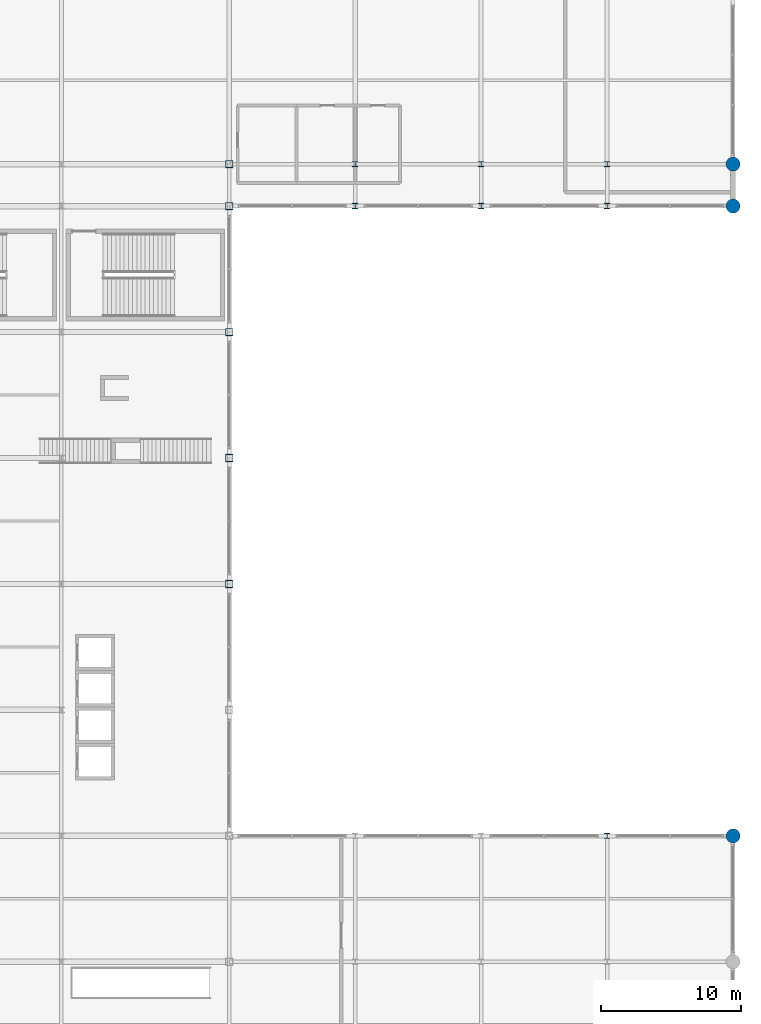
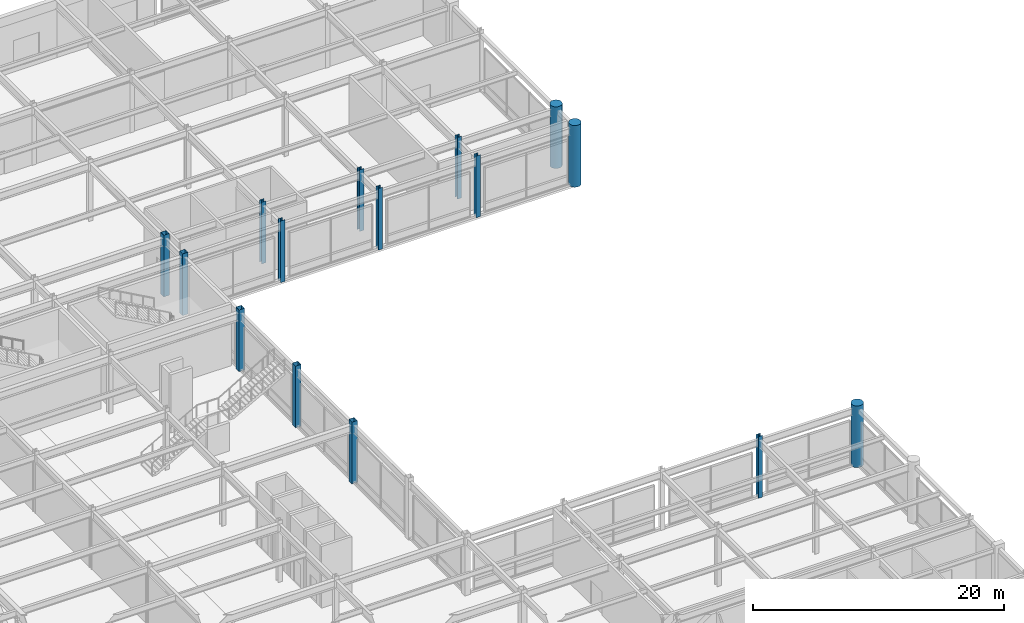
# One storey, part 15 of 108: 15 columns.
"""IFC4 building model written with IfcOpenShell, lengths in metres."""

from ifc_helpers import new_model, si_unit, direction, frame, origin, origin_2d, place, context, subcontext, project, spatial, hollow_rectangle, circle, i_section, extrude, material, material_profile, profile_set, type_object, element, save


model = new_model("IFC4")

# Units and contexts
model_context = context("Model", 3, precision=1e-05, world=origin(), true_north=direction((0.0, 1.0)))
body_context = subcontext(model_context, "Body", "Model", "MODEL_VIEW")
ifc_project = project(units=[si_unit("LENGTHUNIT", "METRE"), si_unit("AREAUNIT", "SQUARE_METRE"), si_unit("VOLUMEUNIT", "CUBIC_METRE"), si_unit("PLANEANGLEUNIT", "RADIAN"), si_unit("MASSUNIT", "GRAM", prefix="KILO")], contexts=[model_context])

# Site, building, storey
site_placement = place(None, origin())
site = spatial("IfcSite", under=ifc_project, at=site_placement, CompositionType="ELEMENT")
building_placement = place(site_placement, origin())
building = spatial("IfcBuilding", under=site, at=building_placement, Name="Kaldorvane Square Convention Centre", CompositionType="ELEMENT")
storey_placement = place(building_placement, frame((0.0, 0.0, 12.0)))
storey = spatial("IfcBuildingStorey", under=building, at=storey_placement, Name="L02", CompositionType="ELEMENT", Elevation=12.0)

# Columns
ifc_material_1 = material(Name="Steel ASTM A500 Gr. C", Category="steel")
ifc_material_profile_1 = material_profile(ifc_material_1, hollow_rectangle(XDim=0.50799560546875, YDim=0.50799560546875, WallThickness=0.014801025390625, at=origin_2d()), Name="HSS20X20X5/8")
ifc_profile_set_1 = profile_set([ifc_material_profile_1], Name="Steel ASTM A500 Gr. C")
column_type_1 = type_object("IfcColumnType", Name="COL-HSS-20", PredefinedType="COLUMN", material=ifc_profile_set_1)
for number, where, z_axis, x_axis, name in (
    (1, (138.0, 54.0, 0.0), (0.0, 0.0, 1.0), (1.0, 0.0, 0.0), "Column SC-13 (L02)"),
    (2, (138.0, 63.0, 0.0), (0.0, 0.0, 1.0), (1.0, 0.0, 0.0), "Column SC-13 (L02)"),
    (3, (138.0, 72.0, 0.0), (0.0, 0.0, 1.0), (1.0, 0.0, 0.0), "Column SC-13 (L02)"),
    (4, (138.0, 81.0, 0.0), (0.0, 0.0, 1.0), (1.0, 0.0, 0.0), "Column SC-13 (L02)"),
    (5, (138.0, 84.0, 0.0), (0.0, 0.0, 1.0), (1.0, 0.0, 0.0), "Column SC-13 (L02)"),
):
    element("IfcColumn", number, at=place(storey_placement, frame(where, z_axis=z_axis, x_axis=x_axis)), inside=storey, type_object=column_type_1, Name=name, PredefinedType="COLUMN", context=body_context, shape_type="SweptSolid", body=[
        extrude(hollow_rectangle(XDim=0.50799560546875, YDim=0.50799560546875, WallThickness=0.014801025390625, at=origin_2d()), origin(), (0.0, 0.0, 1.0), 6.0),
    ])
ifc_material_2 = material(Name="Concrete f'c = 55 MPa (Normalweight)", Category="concrete")
ifc_material_profile_2 = material_profile(ifc_material_2, circle(Radius=0.5, at=origin_2d()), Name="RC-D1000")
ifc_profile_set_2 = profile_set([ifc_material_profile_2], Name="Concrete f'c = 55 MPa (Normalweight)")
column_type_2 = type_object("IfcColumnType", Name="COL-RC-D1000", PredefinedType="COLUMN", material=ifc_profile_set_2)
for number, where, z_axis, x_axis, name in (
    (6, (174.0, 36.0, 0.0), (0.0, 0.0, 1.0), (1.0, 0.0, 0.0), "Column CC-08 (L02)"),
    (7, (174.0, 81.0, 0.0), (0.0, 0.0, 1.0), (1.0, 0.0, 0.0), "Column CC-08 (L02)"),
    (8, (174.0, 84.0, 0.0), (0.0, 0.0, 1.0), (1.0, 0.0, 0.0), "Column CC-08 (L02)"),
):
    element("IfcColumn", number, at=place(storey_placement, frame(where, z_axis=z_axis, x_axis=x_axis)), inside=storey, type_object=column_type_2, Name=name, PredefinedType="COLUMN", context=body_context, shape_type="SweptSolid", body=[
        extrude(circle(Radius=0.5, at=origin_2d()), origin(), (0.0, 0.0, 1.0), 6.0),
    ])
ifc_material_3 = material(Name="Steel ASTM A992 Gr. 50", Category="steel")
ifc_material_profile_3 = material_profile(ifc_material_3, i_section(OverallWidth=0.393707275390625, OverallDepth=0.375396728515625, WebThickness=0.017303466796875, FlangeThickness=0.0276947021484375, FilletRadius=0.0305023193359375, at=origin_2d()), Name="W14X145")
ifc_profile_set_3 = profile_set([ifc_material_profile_3], Name="Steel ASTM A992 Gr. 50")
column_type_3 = type_object("IfcColumnType", Name="COL-STL-145", PredefinedType="COLUMN", material=ifc_profile_set_3)
for number, where, z_axis, x_axis, name in (
    (9, (147.0, 81.0, 0.0), (0.0, 0.0, 1.0), (1.0, 0.0, 0.0), "Column SC-10 (L02)"),
    (10, (147.0, 84.0, 0.0), (0.0, 0.0, 1.0), (1.0, 0.0, 0.0), "Column SC-10 (L02)"),
    (11, (156.0, 81.0, 0.0), (0.0, 0.0, 1.0), (1.0, 0.0, 0.0), "Column SC-10 (L02)"),
    (12, (156.0, 84.0, 0.0), (0.0, 0.0, 1.0), (1.0, 0.0, 0.0), "Column SC-10 (L02)"),
    (13, (165.0, 36.0, 0.0), (0.0, 0.0, 1.0), (1.0, 0.0, 0.0), "Column SC-10 (L02)"),
    (14, (165.0, 81.0, 0.0), (0.0, 0.0, 1.0), (1.0, 0.0, 0.0), "Column SC-10 (L02)"),
    (15, (165.0, 84.0, 0.0), (0.0, 0.0, 1.0), (1.0, 0.0, 0.0), "Column SC-10 (L02)"),
):
    element("IfcColumn", number, at=place(storey_placement, frame(where, z_axis=z_axis, x_axis=x_axis)), inside=storey, type_object=column_type_3, Name=name, PredefinedType="COLUMN", context=body_context, shape_type="SweptSolid", body=[
        extrude(i_section(OverallWidth=0.393707275390625, OverallDepth=0.375396728515625, WebThickness=0.017303466796875, FlangeThickness=0.0276947021484375, FilletRadius=0.0305023193359375, at=origin_2d()), origin(), (0.0, 0.0, 1.0), 6.0),
    ])

save(model, "model.ifc")
